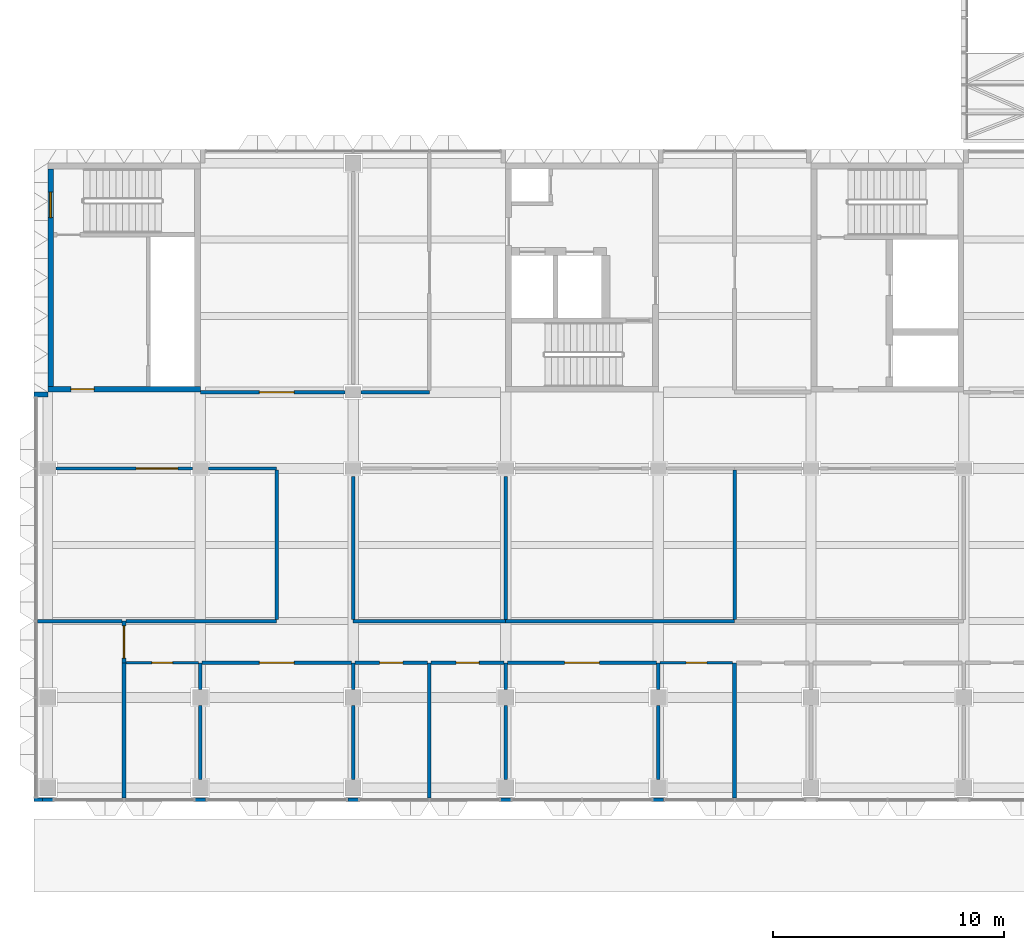
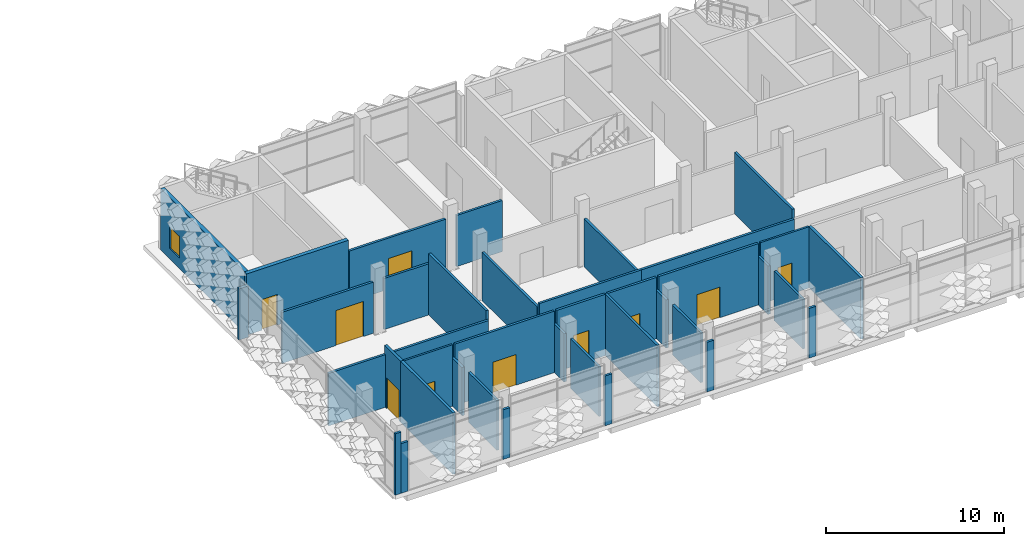
# One storey, part 49 of 109: 39 walls, 10 doors, 1 window, 11 openings.
"""IFC4 building model written with IfcOpenShell, lengths in metres."""

import ifcopenshell
import ifcopenshell.guid

model = None  # the IFC model being written
_history = None  # IfcOwnerHistory: only IFC2X3 demands one
_inside = {}  # id of a spatial element -> (the spatial element, [elements in it])
_under = {}  # id of a project, library or spatial element -> (it, [spatial elements below it])
_declared = {}  # id of a project -> (the project, [libraries it declares])
_typed = {}  # id of a type object -> (the type object, [elements of that type])
_made_of = {}  # id of a material, layer set ... -> (it, [elements and type objects made of it])


def new_model(schema):
    """Start an empty IFC model of exactly this schema.

    Asked for "IFC4X3", IfcOpenShell would pick the latest addendum, in which some entities
    have other attributes; the version numbers below select the first issue.
    IFC2X3 requires an IfcOwnerHistory on every rooted entity: one is made here for all.
    """
    global model, _history
    if schema == "IFC4X3":
        model = ifcopenshell.file(schema_version=(4, 3, 0, 0))
    else:
        model = ifcopenshell.file(schema=schema)
    _inside.clear()
    _under.clear()
    _declared.clear()
    _typed.clear()
    _made_of.clear()
    _history = None
    if model.schema == "IFC2X3":
        org = make("IfcOrganization", Name="unknown")
        user = make(
            "IfcPersonAndOrganization",
            ThePerson=make("IfcPerson", FamilyName="unknown"),
            TheOrganization=org,
        )
        app = make(
            "IfcApplication",
            ApplicationDeveloper=org,
            Version="unknown",
            ApplicationFullName="unknown",
            ApplicationIdentifier="unknown",
        )
        _history = make(
            "IfcOwnerHistory",
            OwningUser=user,
            OwningApplication=app,
            ChangeAction="ADDED",
            CreationDate=0,
        )
    return model


def make(cls, **values):
    """One entity of the class cls with the attributes given. An attribute that is None is left unset."""
    return model.create_entity(
        cls, **{name: value for name, value in values.items() if value is not None}
    )


def rooted(cls, **values):
    """An entity with a GlobalId (a new one), such as an element, a storey or a relation."""
    return make(cls, GlobalId=ifcopenshell.guid.new(), OwnerHistory=_history, **values)


def si_unit(unit_type, name, prefix=None):
    """IfcSIUnit, for example si_unit("LENGTHUNIT", "METRE", prefix="MILLI")."""
    return make("IfcSIUnit", UnitType=unit_type, Prefix=prefix, Name=name)


def assignment(units):
    """IfcUnitAssignment: the units of a project."""
    return None if units is None else make("IfcUnitAssignment", Units=units)


def point(xyz):
    """IfcCartesianPoint."""
    return None if xyz is None else make("IfcCartesianPoint", Coordinates=xyz)


def direction(xyz):
    """IfcDirection."""
    return None if xyz is None else make("IfcDirection", DirectionRatios=xyz)


def frame(location, z_axis=None, x_axis=None):
    """IfcAxis2Placement3D, a coordinate frame: its origin and axes. An axis left out is left unset."""
    return make(
        "IfcAxis2Placement3D",
        Location=point(location),
        Axis=direction(z_axis),
        RefDirection=direction(x_axis),
    )


def frame_2d(location, x_axis=None):
    """IfcAxis2Placement2D, a coordinate frame in the plane: its origin and x axis."""
    return make(
        "IfcAxis2Placement2D", Location=point(location), RefDirection=direction(x_axis)
    )


def origin():
    """The frame at (0, 0, 0) with its axes left unset."""
    return frame((0.0, 0.0, 0.0))


def place(relative_to, where):
    """IfcLocalPlacement: puts the frame where relative to a parent placement (None: the world)."""
    return make(
        "IfcLocalPlacement", PlacementRelTo=relative_to, RelativePlacement=where
    )


def context(
    kind, dimensions, precision=None, world=None, true_north=None, identifier=None
):
    """IfcGeometricRepresentationContext, for example the 3D "Model" context."""
    return make(
        "IfcGeometricRepresentationContext",
        ContextIdentifier=identifier,
        ContextType=kind,
        CoordinateSpaceDimension=dimensions,
        Precision=precision,
        WorldCoordinateSystem=world,
        TrueNorth=true_north,
    )


def subcontext(parent, identifier, kind, view, scale=None):
    """IfcGeometricRepresentationSubContext, for example "Body" below "Model"."""
    return make(
        "IfcGeometricRepresentationSubContext",
        ContextIdentifier=identifier,
        ContextType=kind,
        ParentContext=parent,
        TargetScale=scale,
        TargetView=view,
    )


def project(units=None, contexts=None):
    """IfcProject with its units and contexts."""
    return rooted(
        "IfcProject",
        Name="project",
        RepresentationContexts=contexts,
        UnitsInContext=assignment(units),
    )


def spatial(cls, under=None, at=None, **own):
    """A site, building, storey or space (cls), placed at a placement, below another one or the project."""
    s = rooted(cls, ObjectPlacement=at, **own)
    if under is not None:
        _under.setdefault(under.id(), (under, []))[1].append(s)
    return s


def profile(cls, at=None, kind="AREA", **sizes):
    """A parametric profile (cls). Its sizes go by their IFC names, for example OverallWidth=200.0."""
    return make(cls, ProfileType=kind, Position=at, **sizes)


def rectangle(**sizes):
    """IfcRectangleProfileDef."""
    return profile("IfcRectangleProfileDef", **sizes)


def extrude(swept, where, along, depth):
    """IfcExtrudedAreaSolid: the profile swept, set in the frame where, extruded along a direction by depth."""
    return make(
        "IfcExtrudedAreaSolid",
        SweptArea=swept,
        Position=where,
        ExtrudedDirection=direction(along),
        Depth=depth,
    )


def shape(context_of_items, identifier, shape_type, items):
    """IfcShapeRepresentation: the items that make up one representation, for example the "Body"."""
    return make(
        "IfcShapeRepresentation",
        ContextOfItems=context_of_items,
        RepresentationIdentifier=identifier,
        RepresentationType=shape_type,
        Items=items,
    )


def material(Name=None, Category=None):
    """IfcMaterial."""
    return make("IfcMaterial", Name=Name, Category=Category)


def layer(
    of_material, thickness, ventilated=None, Name=None, Category=None, Priority=None
):
    """IfcMaterialLayer: one layer of a wall or slab, of a material (None: an air gap)."""
    return make(
        "IfcMaterialLayer",
        Material=of_material,
        LayerThickness=thickness,
        IsVentilated=ventilated,
        Name=Name,
        Category=Category,
        Priority=Priority,
    )


def layer_set(layers, Name=None):
    """IfcMaterialLayerSet."""
    return make("IfcMaterialLayerSet", MaterialLayers=layers, LayerSetName=Name)


def made_of(thing, what):
    """Note that an element or type object is made of a material, layer set ...; save() writes the relation."""
    if what is not None:
        _made_of.setdefault(what.id(), (what, []))[1].append(thing)
    return thing


def type_object(cls, material=None, **own):
    """A type object (cls), such as IfcWallType, which elements share."""
    return made_of(rooted(cls, **own), material)


def element(
    cls,
    number,
    at=None,
    inside=None,
    cuts=None,
    type_object=None,
    material=None,
    context=None,
    identifier="Body",
    shape_type=None,
    held_by="IfcProductDefinitionShape",
    body=None,
    shapes=None,
    **own,
):
    """One element of the class cls, such as IfcWall. Its Tag is "e" and its number.

    at: its placement. inside: the storey or other place that contains it. cuts: it is an
    opening in that element (IfcRelVoidsElement). A single representation is given by context,
    identifier, shape_type and body (its items); several are given by shapes. held_by: the class
    of the entity that holds the representations. save() writes the other relations.
    """
    e = rooted(cls, Tag="e%d" % number, ObjectPlacement=at, **own)
    if body is not None:
        shapes = [shape(context, identifier, shape_type, body)]
    if shapes is not None:
        e.Representation = make(held_by, Representations=shapes)
    if inside is not None:
        _inside.setdefault(inside.id(), (inside, []))[1].append(e)
    if cuts is not None:
        rooted(
            "IfcRelVoidsElement", RelatingBuildingElement=cuts, RelatedOpeningElement=e
        )
    if type_object is not None:
        _typed.setdefault(type_object.id(), (type_object, []))[1].append(e)
    return made_of(e, material)


def fill(opening, filler):
    """IfcRelFillsElement: the door or window that sits in an opening."""
    return rooted(
        "IfcRelFillsElement",
        RelatingOpeningElement=opening,
        RelatedBuildingElement=filler,
    )


def aggregate(whole, parts):
    """IfcRelAggregates: a whole, such as a stair, and the parts it consists of."""
    return rooted("IfcRelAggregates", RelatingObject=whole, RelatedObjects=parts)


def save(model, path):
    """Write the relations noted so far, then the file.

    IfcRelAggregates (storeys below a building ...), IfcRelContainedInSpatialStructure (elements
    in a storey), IfcRelDefinesByType, IfcRelAssociatesMaterial and IfcRelDeclares: one each for
    every whole, place, type object, material and project.
    """
    for whole, parts in _under.values():
        aggregate(whole, parts)
    for where, things in _inside.values():
        rooted(
            "IfcRelContainedInSpatialStructure",
            RelatedElements=things,
            RelatingStructure=where,
        )
    for kind, things in _typed.values():
        rooted("IfcRelDefinesByType", RelatedObjects=things, RelatingType=kind)
    for what, things in _made_of.values():
        rooted("IfcRelAssociatesMaterial", RelatedObjects=things, RelatingMaterial=what)
    for by, libraries in _declared.values():
        rooted("IfcRelDeclares", RelatingContext=by, RelatedDefinitions=libraries)
    model.write(path)


model = new_model("IFC4")

# Units and contexts
model_context = context("Model", 3, precision=1e-05, world=origin(), true_north=direction((0.0, 1.0)))
body_context = subcontext(model_context, "Body", "Model", "MODEL_VIEW")
ifc_project = project(units=[si_unit("LENGTHUNIT", "METRE"), si_unit("AREAUNIT", "SQUARE_METRE"), si_unit("VOLUMEUNIT", "CUBIC_METRE"), si_unit("PLANEANGLEUNIT", "RADIAN"), si_unit("MASSUNIT", "GRAM", prefix="KILO")], contexts=[model_context])

# Site, building, storey
site_placement = place(None, origin())
site = spatial("IfcSite", under=ifc_project, at=site_placement, CompositionType="ELEMENT")
building_placement = place(site_placement, origin())
building = spatial("IfcBuilding", under=site, at=building_placement, Name="Lantern Court Research Institute", CompositionType="ELEMENT")
storey_placement = place(building_placement, frame((0.0, 0.0, 14.39990234375)))
storey = spatial("IfcBuildingStorey", under=building, at=storey_placement, Name="L03", CompositionType="ELEMENT", Elevation=14.39990234375)

# Wall
ifc_material_1 = material(Name="Double-stud acoustic gypsum board partition, mineral wool filled")
ifc_layer_1 = layer(ifc_material_1, 0.175048828125)
ifc_layer_set_1 = layer_set([ifc_layer_1], Name="Double-stud acoustic gypsum board partition, mineral wool filled")
wall_type_1 = type_object("IfcWallType", Name="Acoustic partition 175 EI 60", PredefinedType="PARTITIONING", material=ifc_layer_set_1)
wall_1_placement = place(storey_placement, frame((3.300048828125, -4.35009765625, 0.0), z_axis=(0.0, 0.0, 1.0), x_axis=(0.0, 1.0, 0.0)))
element("IfcWall", 1, at=wall_1_placement, inside=storey, type_object=wall_type_1, Name="Acoustic partition 175 EI 60", PredefinedType="PARTITIONING", context=body_context, shape_type="SweptSolid", body=[
    extrude(rectangle(XDim=5.85009765625, YDim=0.175048828125, at=frame_2d((2.925048828125, 0.0))), origin(), (0.0, 0.0, 1.0), 4.2001953125),
])

# Wall, opening, door
wall_2_placement = place(storey_placement, frame((3.300048828125, 1.5, 0.0), z_axis=(0.0, 0.0, 1.0), x_axis=(0.0, 1.0, 0.0)))
wall_2 = element("IfcWall", 2, at=wall_2_placement, inside=storey, type_object=wall_type_1, Name="Acoustic partition 175 EI 60", PredefinedType="PARTITIONING", context=body_context, shape_type="SweptSolid", body=[
    extrude(rectangle(XDim=1.800048828125, YDim=0.175048828125, at=frame_2d((0.89990234375, 0.0))), origin(), (0.0, 0.0, 1.0), 4.2001953125),
])
opening_1_placement = place(wall_2_placement, frame((0.199951171875, 0.0, 0.0)))
opening_1 = element("IfcOpeningElement", 3, at=opening_1_placement, cuts=wall_2, Name="Opening D4312", PredefinedType="OPENING", context=body_context, shape_type="SweptSolid", body=[
    extrude(rectangle(XDim=1.39990234375, YDim=2.10009765625, at=frame_2d((0.699951171875, 1.050048828125))), frame((0.0, 0.097412109375, 0.0), z_axis=(0.0, -1.0, 0.0), x_axis=(1.0, 0.0, 0.0)), (0.0, 0.0, 1.0), 0.195068359375),
])
ifc_material_2 = material(Name="Solid-core timber door leaf", Category="wood")
ifc_layer_2 = layer(ifc_material_2, 0.053955078125)
ifc_layer_set_2 = layer_set([ifc_layer_2], Name="Solid-core timber door leaf")
door_type_1 = type_object("IfcDoorType", Name="Seminar room door 1400 x 2100 pair FD30S", OperationType="DOUBLE_DOOR_SINGLE_SWING", PredefinedType="DOOR", material=ifc_layer_set_2)
door_1_placement = place(opening_1_placement, origin())
door_1 = element("IfcDoor", 4, at=door_1_placement, inside=storey, type_object=door_type_1, Name="Door D4312", OperationType="DOUBLE_DOOR_SINGLE_SWING", OverallHeight=2.10009765625, OverallWidth=1.39990234375, PredefinedType="DOOR", context=body_context, shape_type="SweptSolid", body=[
    extrude(rectangle(XDim=1.39990234375, YDim=2.10009765625, at=frame_2d((0.699951171875, 1.050048828125))), frame((0.0, 0.02685546875, 0.0), z_axis=(0.0, -1.0, 0.0), x_axis=(1.0, 0.0, 0.0)), (0.0, 0.0, 1.0), 0.053955078125),
])
fill(opening_1, door_1)

# Wall
wall_3_placement = place(storey_placement, frame((29.699951171875, -4.35009765625, 0.0), z_axis=(0.0, 0.0, 1.0), x_axis=(0.0, 1.0, 0.0)))
element("IfcWall", 5, at=wall_3_placement, inside=storey, type_object=wall_type_1, Name="Acoustic partition 175 EI 60", PredefinedType="PARTITIONING", context=body_context, shape_type="SweptSolid", body=[
    extrude(rectangle(XDim=5.85009765625, YDim=0.175048828125, at=frame_2d((2.925048828125, 0.0))), origin(), (0.0, 0.0, 1.0), 4.2001953125),
])

# Wall, opening, door
ifc_material_3 = material(Name="Fire-rated gypsum board partition, mineral wool filled")
ifc_layer_3 = layer(ifc_material_3, 0.125)
ifc_layer_set_3 = layer_set([ifc_layer_3], Name="Fire-rated gypsum board partition, mineral wool filled")
wall_type_2 = type_object("IfcWallType", Name="Corridor partition 125 EI 60", PredefinedType="PARTITIONING", material=ifc_layer_set_3)
wall_4_placement = place(storey_placement, frame((6.52490234375, 1.5, 0.0), z_axis=(0.0, 0.0, 1.0), x_axis=(-1.0, 0.0, 0.0)))
wall_4 = element("IfcWall", 6, at=wall_4_placement, inside=storey, type_object=wall_type_2, Name="Corridor partition 125 EI 60", PredefinedType="PARTITIONING", context=body_context, shape_type="SweptSolid", body=[
    extrude(rectangle(XDim=3.137451171875, YDim=0.125, at=frame_2d((1.56884765625, 0.0))), origin(), (0.0, 0.0, 1.0), 4.2001953125),
])
opening_2_placement = place(wall_4_placement, frame((1.125, 0.0, 0.0)))
opening_2 = element("IfcOpeningElement", 7, at=opening_2_placement, cuts=wall_4, Name="Opening D4313", PredefinedType="OPENING", context=body_context, shape_type="SweptSolid", body=[
    extrude(rectangle(XDim=0.89990234375, YDim=2.10009765625, at=frame_2d((0.449951171875, 1.050048828125))), frame((0.0, 0.072509765625, 0.0), z_axis=(0.0, -1.0, 0.0), x_axis=(1.0, 0.0, 0.0)), (0.0, 0.0, 1.0), 0.14501953125),
])
ifc_material_4 = material(Name="Solid-core timber door leaf", Category="wood")
ifc_layer_4 = layer(ifc_material_4, 0.053955078125)
ifc_layer_set_4 = layer_set([ifc_layer_4], Name="Solid-core timber door leaf")
door_type_2 = type_object("IfcDoorType", Name="Office door 900 x 2100 single FD30S", OperationType="NOTDEFINED", PredefinedType="DOOR", material=ifc_layer_set_4)
door_2_placement = place(opening_2_placement, origin())
door_2 = element("IfcDoor", 8, at=door_2_placement, inside=storey, type_object=door_type_2, Name="Door D4313", OperationType="SINGLE_SWING_LEFT", OverallHeight=2.10009765625, OverallWidth=0.89990234375, PredefinedType="DOOR", context=body_context, shape_type="SweptSolid", body=[
    extrude(rectangle(XDim=0.89990234375, YDim=2.10009765625, at=frame_2d((0.449951171875, 1.050048828125))), frame((0.0, 0.02685546875, 0.0), z_axis=(0.0, -1.0, 0.0), x_axis=(1.0, 0.0, 0.0)), (0.0, 0.0, 1.0), 0.053955078125),
])
fill(opening_2, door_2)

wall_5_placement = place(storey_placement, frame((29.612548828125, 1.5, 0.0), z_axis=(0.0, 0.0, 1.0), x_axis=(-1.0, 0.0, 0.0)))
wall_5 = element("IfcWall", 9, at=wall_5_placement, inside=storey, type_object=wall_type_2, Name="Corridor partition 125 EI 60", PredefinedType="PARTITIONING", context=body_context, shape_type="SweptSolid", body=[
    extrude(rectangle(XDim=3.137451171875, YDim=0.125, at=frame_2d((1.56884765625, 0.0))), origin(), (0.0, 0.0, 1.0), 4.2001953125),
])
opening_3_placement = place(wall_5_placement, frame((1.112548828125, 0.0, 0.0)))
opening_3 = element("IfcOpeningElement", 10, at=opening_3_placement, cuts=wall_5, Name="Opening D4318", PredefinedType="OPENING", context=body_context, shape_type="SweptSolid", body=[
    extrude(rectangle(XDim=0.89990234375, YDim=2.10009765625, at=frame_2d((0.449951171875, 1.050048828125))), frame((0.0, 0.072509765625, 0.0), z_axis=(0.0, -1.0, 0.0), x_axis=(1.0, 0.0, 0.0)), (0.0, 0.0, 1.0), 0.14501953125),
])
door_3_placement = place(opening_3_placement, origin())
door_3 = element("IfcDoor", 11, at=door_3_placement, inside=storey, type_object=door_type_2, Name="Door D4318", OperationType="SINGLE_SWING_LEFT", OverallHeight=2.10009765625, OverallWidth=0.89990234375, PredefinedType="DOOR", context=body_context, shape_type="SweptSolid", body=[
    extrude(rectangle(XDim=0.89990234375, YDim=2.10009765625, at=frame_2d((0.449951171875, 1.050048828125))), frame((0.0, 0.02685546875, 0.0), z_axis=(0.0, -1.0, 0.0), x_axis=(1.0, 0.0, 0.0)), (0.0, 0.0, 1.0), 0.053955078125),
])
fill(opening_3, door_3)

# Walls
ifc_material_5 = material(Name="Aluminium alloy 6063-T6", Category="aluminium")
ifc_layer_5 = layer(ifc_material_5, 0.14990234375)
ifc_layer_set_5 = layer_set([ifc_layer_5], Name="Aluminium alloy 6063-T6")
wall_type_3 = type_object("IfcWallType", Name="Entrance screen wall 150 aluminium", PredefinedType="STANDARD", material=ifc_layer_set_5)
wall_6_placement = place(storey_placement, frame((-0.22509765625, -4.425048828125, 0.0), z_axis=(0.0, 0.0, 1.0), x_axis=(-1.0, 0.0, 0.0)))
element("IfcWall", 12, at=wall_6_placement, inside=storey, type_object=wall_type_3, Name="Exterior wall EW168", PredefinedType="STANDARD", context=body_context, shape_type="SweptSolid", body=[
    extrude(rectangle(XDim=0.375, YDim=0.14990234375, at=frame_2d((0.1875, 0.0))), origin(), (0.0, 0.0, 1.0), 4.2001953125),
])
wall_7_placement = place(storey_placement, frame((0.22509765625, -4.425048828125, 0.0), z_axis=(0.0, 0.0, 1.0), x_axis=(-1.0, 0.0, 0.0)))
element("IfcWall", 13, at=wall_7_placement, inside=storey, type_object=wall_type_3, Name="Exterior wall EW169", PredefinedType="STANDARD", context=body_context, shape_type="SweptSolid", body=[
    extrude(rectangle(XDim=0.4501953125, YDim=0.14990234375, at=frame_2d((0.22509765625, 0.0))), origin(), (0.0, 0.0, 1.0), 3.400146484375),
])
for number, where, z_axis, x_axis, name in (
    (14, (6.824951171875, -4.425048828125, 0.0), (0.0, 0.0, 1.0), (-1.0, 0.0, 0.0), "Exterior wall EW170"),
    (15, (13.425048828125, -4.425048828125, 0.0), (0.0, 0.0, 1.0), (-1.0, 0.0, 0.0), "Exterior wall EW171"),
    (16, (20.02490234375, -4.425048828125, 0.0), (0.0, 0.0, 1.0), (-1.0, 0.0, 0.0), "Exterior wall EW172"),
    (17, (26.625, -4.425048828125, 0.0), (0.0, 0.0, 1.0), (-1.0, 0.0, 0.0), "Exterior wall EW173"),
):
    element("IfcWall", number, at=place(storey_placement, frame(where, z_axis=z_axis, x_axis=x_axis)), inside=storey, type_object=wall_type_3, Name=name, PredefinedType="STANDARD", context=body_context, shape_type="SweptSolid", body=[
        extrude(rectangle(XDim=0.449951171875, YDim=0.14990234375, at=frame_2d((0.22509765625, 0.0))), origin(), (0.0, 0.0, 1.0), 3.400146484375),
    ])

# Wall, opening, door
ifc_material_6 = material(Name="Fire-rated gypsum board partition, mineral wool filled")
ifc_layer_6 = layer(ifc_material_6, 0.14990234375)
ifc_layer_set_6 = layer_set([ifc_layer_6], Name="Fire-rated gypsum board partition, mineral wool filled")
wall_type_4 = type_object("IfcWallType", Name="Laboratory partition 150 EI 60", PredefinedType="PARTITIONING", material=ifc_layer_set_6)
wall_8_placement = place(storey_placement, frame((12.85009765625, 13.199951171875, 0.0), z_axis=(0.0, 0.0, 1.0), x_axis=(-1.0, 0.0, 0.0)))
wall_8 = element("IfcWall", 18, at=wall_8_placement, inside=storey, type_object=wall_type_4, Name="Laboratory partition 150 EI 60", PredefinedType="PARTITIONING", context=body_context, shape_type="SweptSolid", body=[
    extrude(rectangle(XDim=6.25, YDim=0.14990234375, at=frame_2d((3.125, 0.0))), origin(), (0.0, 0.0, 1.0), 3.5),
])
opening_4_placement = place(wall_8_placement, frame((2.199951171875, 0.0, 0.0)))
opening_4 = element("IfcOpeningElement", 19, at=opening_4_placement, cuts=wall_8, Name="Opening D4302", PredefinedType="OPENING", context=body_context, shape_type="SweptSolid", body=[
    extrude(rectangle(XDim=1.5, YDim=2.10009765625, at=frame_2d((0.75, 1.050048828125))), frame((0.0, 0.0849609375, 0.0), z_axis=(0.0, -1.0, 0.0), x_axis=(1.0, 0.0, 0.0)), (0.0, 0.0, 1.0), 0.169921875),
])
ifc_material_7 = material(Name="Solid-core timber door leaf with vision panel", Category="wood")
ifc_layer_7 = layer(ifc_material_7, 0.053955078125)
ifc_layer_set_7 = layer_set([ifc_layer_7], Name="Solid-core timber door leaf with vision panel")
door_type_3 = type_object("IfcDoorType", Name="Laboratory double door 1500 x 2100 pair FD30S", OperationType="DOUBLE_DOOR_SINGLE_SWING", PredefinedType="DOOR", material=ifc_layer_set_7)
door_4_placement = place(opening_4_placement, origin())
door_4 = element("IfcDoor", 20, at=door_4_placement, inside=storey, type_object=door_type_3, Name="Door D4302", OperationType="DOUBLE_DOOR_SINGLE_SWING", OverallHeight=2.10009765625, OverallWidth=1.5, PredefinedType="DOOR", context=body_context, shape_type="SweptSolid", body=[
    extrude(rectangle(XDim=1.5, YDim=2.10009765625, at=frame_2d((0.75, 1.050048828125))), frame((0.0, 0.02685546875, 0.0), z_axis=(0.0, -1.0, 0.0), x_axis=(1.0, 0.0, 0.0)), (0.0, 0.0, 1.0), 0.053955078125),
])
fill(opening_4, door_4)

# Wall
wall_9_placement = place(storey_placement, frame((16.5, 13.199951171875, 0.0), z_axis=(0.0, 0.0, 1.0), x_axis=(-1.0, 0.0, 0.0)))
element("IfcWall", 21, at=wall_9_placement, inside=storey, type_object=wall_type_4, Name="Laboratory partition 150 EI 60", PredefinedType="PARTITIONING", context=body_context, shape_type="SweptSolid", body=[
    extrude(rectangle(XDim=2.949951171875, YDim=0.14990234375, at=frame_2d((1.47509765625, 0.0))), origin(), (0.0, 0.0, 1.0), 3.5),
])

# Wall, opening, door
wall_10_placement = place(storey_placement, frame((0.35009765625, 9.89990234375, 0.0), z_axis=(0.0, 0.0, 1.0), x_axis=(1.0, 0.0, 0.0)))
wall_10 = element("IfcWall", 22, at=wall_10_placement, inside=storey, type_object=wall_type_4, Name="Laboratory partition 150 EI 60", PredefinedType="PARTITIONING", context=body_context, shape_type="SweptSolid", body=[
    extrude(rectangle(XDim=5.89990234375, YDim=0.14990234375, at=frame_2d((2.949951171875, 0.0))), origin(), (0.0, 0.0, 1.0), 3.5),
])
opening_5_placement = place(wall_10_placement, frame((3.47509765625, 0.0, 0.0)))
opening_5 = element("IfcOpeningElement", 23, at=opening_5_placement, cuts=wall_10, Name="Opening D4324", PredefinedType="OPENING", context=body_context, shape_type="SweptSolid", body=[
    extrude(rectangle(XDim=1.800048828125, YDim=2.39990234375, at=frame_2d((0.89990234375, 1.199951171875))), frame((0.0, 0.0849609375, 0.0), z_axis=(0.0, -1.0, 0.0), x_axis=(1.0, 0.0, 0.0)), (0.0, 0.0, 1.0), 0.169921875),
])
ifc_material_8 = material(Name="Solid-core timber door leaf with vision panel", Category="wood")
ifc_layer_8 = layer(ifc_material_8, 0.053955078125)
ifc_layer_set_8 = layer_set([ifc_layer_8], Name="Solid-core timber door leaf with vision panel")
door_type_4 = type_object("IfcDoorType", Name="Laboratory equipment door 1800 x 2400 pair FD30S", OperationType="DOUBLE_DOOR_SINGLE_SWING", PredefinedType="DOOR", material=ifc_layer_set_8)
door_5_placement = place(opening_5_placement, origin())
door_5 = element("IfcDoor", 24, at=door_5_placement, inside=storey, type_object=door_type_4, Name="Door D4324", OperationType="DOUBLE_DOOR_SINGLE_SWING", OverallHeight=2.39990234375, OverallWidth=1.800048828125, PredefinedType="DOOR", context=body_context, shape_type="SweptSolid", body=[
    extrude(rectangle(XDim=1.800048828125, YDim=2.39990234375, at=frame_2d((0.89990234375, 1.199951171875))), frame((0.0, 0.02685546875, 0.0), z_axis=(0.0, -1.0, 0.0), x_axis=(1.0, 0.0, 0.0)), (0.0, 0.0, 1.0), 0.053955078125),
])
fill(opening_5, door_5)

# Walls
wall_11_placement = place(storey_placement, frame((6.949951171875, 9.89990234375, 0.0), z_axis=(0.0, 0.0, 1.0), x_axis=(1.0, 0.0, 0.0)))
element("IfcWall", 25, at=wall_11_placement, inside=storey, type_object=wall_type_4, Name="Laboratory partition 150 EI 60", PredefinedType="PARTITIONING", context=body_context, shape_type="SweptSolid", body=[
    extrude(rectangle(XDim=2.949951171875, YDim=0.14990234375, at=frame_2d((1.47509765625, 0.0))), origin(), (0.0, 0.0, 1.0), 3.5),
])
wall_12_placement = place(storey_placement, frame((3.21240234375, 3.300048828125, 0.0), z_axis=(0.0, 0.0, 1.0), x_axis=(-1.0, 0.0, 0.0)))
element("IfcWall", 26, at=wall_12_placement, inside=storey, type_object=wall_type_4, Name="Laboratory partition 150 EI 60", PredefinedType="PARTITIONING", context=body_context, shape_type="SweptSolid", body=[
    extrude(rectangle(XDim=3.662353515625, YDim=0.14990234375, at=frame_2d((1.8310546875, 0.0))), origin(), (0.0, 0.0, 1.0), 3.60009765625),
])
wall_13_placement = place(storey_placement, frame((6.60009765625, -3.550048828125, 0.0), z_axis=(0.0, 0.0, 1.0), x_axis=(0.0, 1.0, 0.0)))
element("IfcWall", 27, at=wall_13_placement, inside=storey, type_object=wall_type_4, Name="Laboratory partition 150 EI 60", PredefinedType="PARTITIONING", context=body_context, shape_type="SweptSolid", body=[
    extrude(rectangle(XDim=3.199951171875, YDim=0.14990234375, at=frame_2d((1.60009765625, 0.0))), origin(), (0.0, 0.0, 1.0), 3.400146484375),
])
wall_14_placement = place(storey_placement, frame((6.60009765625, 0.35009765625, 0.0), z_axis=(0.0, 0.0, 1.0), x_axis=(0.0, 1.0, 0.0)))
element("IfcWall", 28, at=wall_14_placement, inside=storey, type_object=wall_type_4, Name="Laboratory partition 150 EI 60", PredefinedType="PARTITIONING", context=body_context, shape_type="SweptSolid", body=[
    extrude(rectangle(XDim=1.14990234375, YDim=0.14990234375, at=frame_2d((0.574951171875, 0.0))), origin(), (0.0, 0.0, 1.0), 3.300048828125),
])
wall_15_placement = place(storey_placement, frame((13.199951171875, -3.550048828125, 0.0), z_axis=(0.0, 0.0, 1.0), x_axis=(0.0, 1.0, 0.0)))
element("IfcWall", 29, at=wall_15_placement, inside=storey, type_object=wall_type_4, Name="Laboratory partition 150 EI 60", PredefinedType="PARTITIONING", context=body_context, shape_type="SweptSolid", body=[
    extrude(rectangle(XDim=3.199951171875, YDim=0.14990234375, at=frame_2d((1.60009765625, 0.0))), origin(), (0.0, 0.0, 1.0), 3.400146484375),
])
wall_16_placement = place(storey_placement, frame((13.199951171875, 0.35009765625, 0.0), z_axis=(0.0, 0.0, 1.0), x_axis=(0.0, 1.0, 0.0)))
element("IfcWall", 30, at=wall_16_placement, inside=storey, type_object=wall_type_4, Name="Laboratory partition 150 EI 60", PredefinedType="PARTITIONING", context=body_context, shape_type="SweptSolid", body=[
    extrude(rectangle(XDim=1.14990234375, YDim=0.14990234375, at=frame_2d((0.574951171875, 0.0))), origin(), (0.0, 0.0, 1.0), 3.300048828125),
])

# Wall, opening, door
wall_17_placement = place(storey_placement, frame((13.125, 1.5, 0.0), z_axis=(0.0, 0.0, 1.0), x_axis=(-1.0, 0.0, 0.0)))
wall_17 = element("IfcWall", 31, at=wall_17_placement, inside=storey, type_object=wall_type_4, Name="Laboratory partition 150 EI 60", PredefinedType="PARTITIONING", context=body_context, shape_type="SweptSolid", body=[
    extrude(rectangle(XDim=6.449951171875, YDim=0.14990234375, at=frame_2d((3.22509765625, 0.0))), origin(), (0.0, 0.0, 1.0), 4.2001953125),
])
opening_6_placement = place(wall_17_placement, frame((2.47509765625, 0.0, 0.0)))
opening_6 = element("IfcOpeningElement", 32, at=opening_6_placement, cuts=wall_17, Name="Opening D4314", PredefinedType="OPENING", context=body_context, shape_type="SweptSolid", body=[
    extrude(rectangle(XDim=1.5, YDim=2.10009765625, at=frame_2d((0.75, 1.050048828125))), frame((0.0, 0.0849609375, 0.0), z_axis=(0.0, -1.0, 0.0), x_axis=(1.0, 0.0, 0.0)), (0.0, 0.0, 1.0), 0.169921875),
])
door_6_placement = place(opening_6_placement, origin())
door_6 = element("IfcDoor", 33, at=door_6_placement, inside=storey, type_object=door_type_3, Name="Door D4314", OperationType="DOUBLE_DOOR_SINGLE_SWING", OverallHeight=2.10009765625, OverallWidth=1.5, PredefinedType="DOOR", context=body_context, shape_type="SweptSolid", body=[
    extrude(rectangle(XDim=1.5, YDim=2.10009765625, at=frame_2d((0.75, 1.050048828125))), frame((0.0, 0.02685546875, 0.0), z_axis=(0.0, -1.0, 0.0), x_axis=(1.0, 0.0, 0.0)), (0.0, 0.0, 1.0), 0.053955078125),
])
fill(opening_6, door_6)

# Wall
wall_18_placement = place(storey_placement, frame((16.5, -4.35009765625, 0.0), z_axis=(0.0, 0.0, 1.0), x_axis=(0.0, 1.0, 0.0)))
element("IfcWall", 34, at=wall_18_placement, inside=storey, type_object=wall_type_4, Name="Laboratory partition 150 EI 60", PredefinedType="PARTITIONING", context=body_context, shape_type="SweptSolid", body=[
    extrude(rectangle(XDim=5.85009765625, YDim=0.14990234375, at=frame_2d((2.925048828125, 0.0))), origin(), (0.0, 0.0, 1.0), 4.2001953125),
])

# Wall, opening, door
wall_19_placement = place(storey_placement, frame((16.425048828125, 1.5, 0.0), z_axis=(0.0, 0.0, 1.0), x_axis=(-1.0, 0.0, 0.0)))
wall_19 = element("IfcWall", 35, at=wall_19_placement, inside=storey, type_object=wall_type_4, Name="Laboratory partition 150 EI 60", PredefinedType="PARTITIONING", context=body_context, shape_type="SweptSolid", body=[
    extrude(rectangle(XDim=3.150146484375, YDim=0.14990234375, at=frame_2d((1.5751953125, 0.0))), origin(), (0.0, 0.0, 1.0), 4.2001953125),
])
opening_7_placement = place(wall_19_placement, frame((1.074951171875, 0.0, 0.0)))
opening_7 = element("IfcOpeningElement", 36, at=opening_7_placement, cuts=wall_19, Name="Opening D4315", PredefinedType="OPENING", context=body_context, shape_type="SweptSolid", body=[
    extrude(rectangle(XDim=1.0, YDim=2.10009765625, at=frame_2d((0.5, 1.050048828125))), frame((0.0, 0.0849609375, 0.0), z_axis=(0.0, -1.0, 0.0), x_axis=(1.0, 0.0, 0.0)), (0.0, 0.0, 1.0), 0.169921875),
])
ifc_material_9 = material(Name="Solid-core timber door leaf with vision panel", Category="wood")
ifc_layer_9 = layer(ifc_material_9, 0.053955078125)
ifc_layer_set_9 = layer_set([ifc_layer_9], Name="Solid-core timber door leaf with vision panel")
door_type_5 = type_object("IfcDoorType", Name="Laboratory door 1000 x 2100 single FD30S", OperationType="NOTDEFINED", PredefinedType="DOOR", material=ifc_layer_set_9)
door_7_placement = place(opening_7_placement, origin())
door_7 = element("IfcDoor", 37, at=door_7_placement, inside=storey, type_object=door_type_5, Name="Door D4315", OperationType="SINGLE_SWING_LEFT", OverallHeight=2.10009765625, OverallWidth=1.0, PredefinedType="DOOR", context=body_context, shape_type="SweptSolid", body=[
    extrude(rectangle(XDim=1.0, YDim=2.10009765625, at=frame_2d((0.5, 1.050048828125))), frame((0.0, 0.02685546875, 0.0), z_axis=(0.0, -1.0, 0.0), x_axis=(1.0, 0.0, 0.0)), (0.0, 0.0, 1.0), 0.053955078125),
])
fill(opening_7, door_7)

# Walls
wall_20_placement = place(storey_placement, frame((19.800048828125, -3.550048828125, 0.0), z_axis=(0.0, 0.0, 1.0), x_axis=(0.0, 1.0, 0.0)))
element("IfcWall", 38, at=wall_20_placement, inside=storey, type_object=wall_type_4, Name="Laboratory partition 150 EI 60", PredefinedType="PARTITIONING", context=body_context, shape_type="SweptSolid", body=[
    extrude(rectangle(XDim=3.199951171875, YDim=0.14990234375, at=frame_2d((1.60009765625, 0.0))), origin(), (0.0, 0.0, 1.0), 3.400146484375),
])
wall_21_placement = place(storey_placement, frame((19.800048828125, 0.35009765625, 0.0), z_axis=(0.0, 0.0, 1.0), x_axis=(0.0, 1.0, 0.0)))
element("IfcWall", 39, at=wall_21_placement, inside=storey, type_object=wall_type_4, Name="Laboratory partition 150 EI 60", PredefinedType="PARTITIONING", context=body_context, shape_type="SweptSolid", body=[
    extrude(rectangle(XDim=1.14990234375, YDim=0.14990234375, at=frame_2d((0.574951171875, 0.0))), origin(), (0.0, 0.0, 1.0), 3.300048828125),
])

# Wall, opening, door
wall_22_placement = place(storey_placement, frame((19.72509765625, 1.5, 0.0), z_axis=(0.0, 0.0, 1.0), x_axis=(-1.0, 0.0, 0.0)))
wall_22 = element("IfcWall", 40, at=wall_22_placement, inside=storey, type_object=wall_type_4, Name="Laboratory partition 150 EI 60", PredefinedType="PARTITIONING", context=body_context, shape_type="SweptSolid", body=[
    extrude(rectangle(XDim=3.150146484375, YDim=0.14990234375, at=frame_2d((1.5751953125, 0.0))), origin(), (0.0, 0.0, 1.0), 4.2001953125),
])
opening_8_placement = place(wall_22_placement, frame((1.074951171875, 0.0, 0.0)))
opening_8 = element("IfcOpeningElement", 41, at=opening_8_placement, cuts=wall_22, Name="Opening D4316", PredefinedType="OPENING", context=body_context, shape_type="SweptSolid", body=[
    extrude(rectangle(XDim=1.0, YDim=2.10009765625, at=frame_2d((0.5, 1.050048828125))), frame((0.0, 0.0849609375, 0.0), z_axis=(0.0, -1.0, 0.0), x_axis=(1.0, 0.0, 0.0)), (0.0, 0.0, 1.0), 0.169921875),
])
door_8_placement = place(opening_8_placement, origin())
door_8 = element("IfcDoor", 42, at=door_8_placement, inside=storey, type_object=door_type_5, Name="Door D4316", OperationType="SINGLE_SWING_LEFT", OverallHeight=2.10009765625, OverallWidth=1.0, PredefinedType="DOOR", context=body_context, shape_type="SweptSolid", body=[
    extrude(rectangle(XDim=1.0, YDim=2.10009765625, at=frame_2d((0.5, 1.050048828125))), frame((0.0, 0.02685546875, 0.0), z_axis=(0.0, -1.0, 0.0), x_axis=(1.0, 0.0, 0.0)), (0.0, 0.0, 1.0), 0.053955078125),
])
fill(opening_8, door_8)

# Walls
wall_23_placement = place(storey_placement, frame((26.39990234375, -3.550048828125, 0.0), z_axis=(0.0, 0.0, 1.0), x_axis=(0.0, 1.0, 0.0)))
element("IfcWall", 43, at=wall_23_placement, inside=storey, type_object=wall_type_4, Name="Laboratory partition 150 EI 60", PredefinedType="PARTITIONING", context=body_context, shape_type="SweptSolid", body=[
    extrude(rectangle(XDim=3.199951171875, YDim=0.14990234375, at=frame_2d((1.60009765625, 0.0))), origin(), (0.0, 0.0, 1.0), 3.400146484375),
])
wall_24_placement = place(storey_placement, frame((26.39990234375, 0.35009765625, 0.0), z_axis=(0.0, 0.0, 1.0), x_axis=(0.0, 1.0, 0.0)))
element("IfcWall", 44, at=wall_24_placement, inside=storey, type_object=wall_type_4, Name="Laboratory partition 150 EI 60", PredefinedType="PARTITIONING", context=body_context, shape_type="SweptSolid", body=[
    extrude(rectangle(XDim=1.14990234375, YDim=0.14990234375, at=frame_2d((0.574951171875, 0.0))), origin(), (0.0, 0.0, 1.0), 3.300048828125),
])

# Wall, opening, door
wall_25_placement = place(storey_placement, frame((26.324951171875, 1.5, 0.0), z_axis=(0.0, 0.0, 1.0), x_axis=(-1.0, 0.0, 0.0)))
wall_25 = element("IfcWall", 45, at=wall_25_placement, inside=storey, type_object=wall_type_4, Name="Laboratory partition 150 EI 60", PredefinedType="PARTITIONING", context=body_context, shape_type="SweptSolid", body=[
    extrude(rectangle(XDim=6.449951171875, YDim=0.14990234375, at=frame_2d((3.22509765625, 0.0))), origin(), (0.0, 0.0, 1.0), 4.2001953125),
])
opening_9_placement = place(wall_25_placement, frame((2.47509765625, 0.0, 0.0)))
opening_9 = element("IfcOpeningElement", 46, at=opening_9_placement, cuts=wall_25, Name="Opening D4317", PredefinedType="OPENING", context=body_context, shape_type="SweptSolid", body=[
    extrude(rectangle(XDim=1.5, YDim=2.10009765625, at=frame_2d((0.75, 1.050048828125))), frame((0.0, 0.0849609375, 0.0), z_axis=(0.0, -1.0, 0.0), x_axis=(1.0, 0.0, 0.0)), (0.0, 0.0, 1.0), 0.169921875),
])
door_9_placement = place(opening_9_placement, origin())
door_9 = element("IfcDoor", 47, at=door_9_placement, inside=storey, type_object=door_type_3, Name="Door D4317", OperationType="DOUBLE_DOOR_SINGLE_SWING", OverallHeight=2.10009765625, OverallWidth=1.5, PredefinedType="DOOR", context=body_context, shape_type="SweptSolid", body=[
    extrude(rectangle(XDim=1.5, YDim=2.10009765625, at=frame_2d((0.75, 1.050048828125))), frame((0.0, 0.02685546875, 0.0), z_axis=(0.0, -1.0, 0.0), x_axis=(1.0, 0.0, 0.0)), (0.0, 0.0, 1.0), 0.053955078125),
])
fill(opening_9, door_9)

# Walls
wall_26_placement = place(storey_placement, frame((9.89990234375, 3.300048828125, 0.0), z_axis=(0.0, 0.0, 1.0), x_axis=(-1.0, 0.0, 0.0)))
element("IfcWall", 48, at=wall_26_placement, inside=storey, type_object=wall_type_4, Name="Laboratory partition 150 EI 60", PredefinedType="PARTITIONING", context=body_context, shape_type="SweptSolid", body=[
    extrude(rectangle(XDim=6.512451171875, YDim=0.14990234375, at=frame_2d((3.25634765625, 0.0))), origin(), (0.0, 0.0, 1.0), 3.60009765625),
])
wall_27_placement = place(storey_placement, frame((19.800048828125, 3.300048828125, 0.0), z_axis=(0.0, 0.0, 1.0), x_axis=(-1.0, 0.0, 0.0)))
element("IfcWall", 49, at=wall_27_placement, inside=storey, type_object=wall_type_4, Name="Laboratory partition 150 EI 60", PredefinedType="PARTITIONING", context=body_context, shape_type="SweptSolid", body=[
    extrude(rectangle(XDim=6.60009765625, YDim=0.14990234375, at=frame_2d((3.300048828125, 0.0))), origin(), (0.0, 0.0, 1.0), 3.60009765625),
])
wall_28_placement = place(storey_placement, frame((29.699951171875, 3.300048828125, 0.0), z_axis=(0.0, 0.0, 1.0), x_axis=(-1.0, 0.0, 0.0)))
element("IfcWall", 50, at=wall_28_placement, inside=storey, type_object=wall_type_4, Name="Laboratory partition 150 EI 60", PredefinedType="PARTITIONING", context=body_context, shape_type="SweptSolid", body=[
    extrude(rectangle(XDim=9.89990234375, YDim=0.14990234375, at=frame_2d((4.949951171875, 0.0))), origin(), (0.0, 0.0, 1.0), 3.60009765625),
])
wall_29_placement = place(storey_placement, frame((9.89990234375, 3.375, 0.0), z_axis=(0.0, 0.0, 1.0), x_axis=(0.0, 1.0, 0.0)))
element("IfcWall", 51, at=wall_29_placement, inside=storey, type_object=wall_type_4, Name="Laboratory partition 150 EI 60", PredefinedType="PARTITIONING", context=body_context, shape_type="SweptSolid", body=[
    extrude(rectangle(XDim=6.449951171875, YDim=0.14990234375, at=frame_2d((3.22509765625, 0.0))), origin(), (0.0, 0.0, 1.0), 4.2001953125),
])
for number, where, z_axis, x_axis, name in (
    (52, (13.199951171875, 3.375, 0.0), (0.0, 0.0, 1.0), (0.0, 1.0, 0.0), "Laboratory partition 150 EI 60"),
    (53, (19.800048828125, 3.375, 0.0), (0.0, 0.0, 1.0), (0.0, 1.0, 0.0), "Laboratory partition 150 EI 60"),
):
    element("IfcWall", number, at=place(storey_placement, frame(where, z_axis=z_axis, x_axis=x_axis)), inside=storey, type_object=wall_type_4, Name=name, PredefinedType="PARTITIONING", context=body_context, shape_type="SweptSolid", body=[
        extrude(rectangle(XDim=6.175048828125, YDim=0.14990234375, at=frame_2d((3.08740234375, 0.0))), origin(), (0.0, 0.0, 1.0), 3.300048828125),
    ])
wall_30_placement = place(storey_placement, frame((29.699951171875, 3.375, 0.0), z_axis=(0.0, 0.0, 1.0), x_axis=(0.0, 1.0, 0.0)))
element("IfcWall", 54, at=wall_30_placement, inside=storey, type_object=wall_type_4, Name="Laboratory partition 150 EI 60", PredefinedType="PARTITIONING", context=body_context, shape_type="SweptSolid", body=[
    extrude(rectangle(XDim=6.449951171875, YDim=0.14990234375, at=frame_2d((3.22509765625, 0.0))), origin(), (0.0, 0.0, 1.0), 4.2001953125),
])

# Wall, opening, door
ifc_material_10 = material(Name="Concrete C40/50", Category="concrete")
ifc_layer_10 = layer(ifc_material_10, 0.25)
ifc_layer_set_10 = layer_set([ifc_layer_10], Name="Concrete C40/50")
wall_type_5 = type_object("IfcWallType", Name="RC core wall 250", PredefinedType="SHEAR", material=ifc_layer_set_10)
wall_31_placement = place(storey_placement, frame((0.0, 13.324951171875, 0.0), z_axis=(0.0, 0.0, 1.0), x_axis=(1.0, 0.0, 0.0)))
wall_31 = element("IfcWall", 55, at=wall_31_placement, inside=storey, type_object=wall_type_5, Name="South wall of core BC-W", PredefinedType="SHEAR", context=body_context, shape_type="SweptSolid", body=[
    extrude(rectangle(XDim=6.60009765625, YDim=0.25, at=frame_2d((3.300048828125, 0.0))), origin(), (0.0, 0.0, 1.0), 4.2001953125),
])
opening_10_placement = place(wall_31_placement, frame((1.0, 0.0, 0.0)))
opening_10 = element("IfcOpeningElement", 56, at=opening_10_placement, cuts=wall_31, Name="Opening D7015", PredefinedType="OPENING", context=body_context, shape_type="SweptSolid", body=[
    extrude(rectangle(XDim=1.0, YDim=2.10009765625, at=frame_2d((0.5, 1.050048828125))), frame((0.0, 0.135009765625, 0.0), z_axis=(0.0, -1.0, 0.0), x_axis=(1.0, 0.0, 0.0)), (0.0, 0.0, 1.0), 0.27001953125),
])
ifc_material_11 = material(Name="Steel fire door leaf with smoke seals", Category="steel")
door_type_6 = type_object("IfcDoorType", Name="Door 1000 x 2100 fire rated FD60S", OperationType="NOTDEFINED", PredefinedType="DOOR", material=ifc_material_11)
door_10_placement = place(opening_10_placement, origin())
door_10 = element("IfcDoor", 57, at=door_10_placement, inside=storey, type_object=door_type_6, Name="Lobby door", OperationType="SINGLE_SWING_RIGHT", OverallHeight=2.10009765625, OverallWidth=1.0, PredefinedType="DOOR", context=body_context, shape_type="SweptSolid", body=[
    extrude(rectangle(XDim=1.0, YDim=2.10009765625, at=frame_2d((0.5, 1.050048828125))), frame((0.0, 0.02490234375, 0.0), z_axis=(0.0, -1.0, 0.0), x_axis=(1.0, 0.0, 0.0)), (0.0, 0.0, 1.0), 0.050048828125),
])
fill(opening_10, door_10)

# Wall, opening, window
ifc_material_12 = material(Name="Concrete C40/50", Category="concrete")
ifc_layer_11 = layer(ifc_material_12, 0.25)
ifc_layer_set_11 = layer_set([ifc_layer_11], Name="Concrete C40/50")
wall_type_6 = type_object("IfcWallType", Name="RC core wall 250 facade", PredefinedType="SHEAR", material=ifc_layer_set_11)
wall_32_placement = place(storey_placement, frame((0.125, 13.449951171875, 0.0), z_axis=(0.0, 0.0, 1.0), x_axis=(0.0, 1.0, 0.0)))
wall_32 = element("IfcWall", 58, at=wall_32_placement, inside=storey, type_object=wall_type_6, Name="West wall of core BC-W", PredefinedType="SHEAR", context=body_context, shape_type="SweptSolid", body=[
    extrude(rectangle(XDim=9.400146484375, YDim=0.25, at=frame_2d((4.7001953125, 0.0))), origin(), (0.0, 0.0, 1.0), 4.2001953125),
])
opening_11_placement = place(wall_32_placement, frame((7.300048828125, 0.0, 0.699951171875)))
opening_11 = element("IfcOpeningElement", 59, at=opening_11_placement, cuts=wall_32, Name="Opening W5", PredefinedType="OPENING", context=body_context, shape_type="SweptSolid", body=[
    extrude(rectangle(XDim=1.10009765625, YDim=1.5, at=frame_2d((0.550048828125, 0.75))), frame((0.0, 0.135009765625, 0.0), z_axis=(0.0, -1.0, 0.0), x_axis=(1.0, 0.0, 0.0)), (0.0, 0.0, 1.0), 0.27001953125),
])
ifc_material_13 = material(Name="Aluminium alloy 6063-T6 frame with laminated glass", Category="aluminium")
window_type = type_object("IfcWindowType", Name="Stair window 1100 x 1500", PartitioningType="SINGLE_PANEL", PredefinedType="WINDOW", material=ifc_material_13)
window_placement = place(opening_11_placement, origin())
window = element("IfcWindow", 60, at=window_placement, inside=storey, type_object=window_type, Name="Stair window", OverallHeight=1.5, OverallWidth=1.10009765625, PartitioningType="SINGLE_PANEL", PredefinedType="WINDOW", context=body_context, shape_type="SweptSolid", body=[
    extrude(rectangle(XDim=1.10009765625, YDim=1.5, at=frame_2d((0.550048828125, 0.75))), frame((0.0, 0.030029296875, 0.0), z_axis=(0.0, -1.0, 0.0), x_axis=(1.0, 0.0, 0.0)), (0.0, 0.0, 1.0), 0.06005859375),
])
fill(opening_11, window)

# Wall
ifc_material_14 = material(Name="Concrete C40/50", Category="concrete")
ifc_layer_12 = layer(ifc_material_14, 0.199951171875)
ifc_layer_set_12 = layer_set([ifc_layer_12], Name="Concrete C40/50")
wall_type_7 = type_object("IfcWallType", Name="Return wall 200 concrete EI 120 aluminium faced", PredefinedType="STANDARD", material=ifc_layer_set_12)
wall_33_placement = place(storey_placement, frame((0.0, 13.10009765625, 0.0), z_axis=(0.0, 0.0, 1.0), x_axis=(-1.0, 0.0, 0.0)))
element("IfcWall", 61, at=wall_33_placement, inside=storey, type_object=wall_type_7, Name="Core return wall 38", PredefinedType="STANDARD", context=body_context, shape_type="SweptSolid", body=[
    extrude(rectangle(XDim=0.60009765625, YDim=0.199951171875, at=frame_2d((0.300048828125, 0.0))), origin(), (0.0, 0.0, 1.0), 3.5),
])

save(model, "model.ifc")
